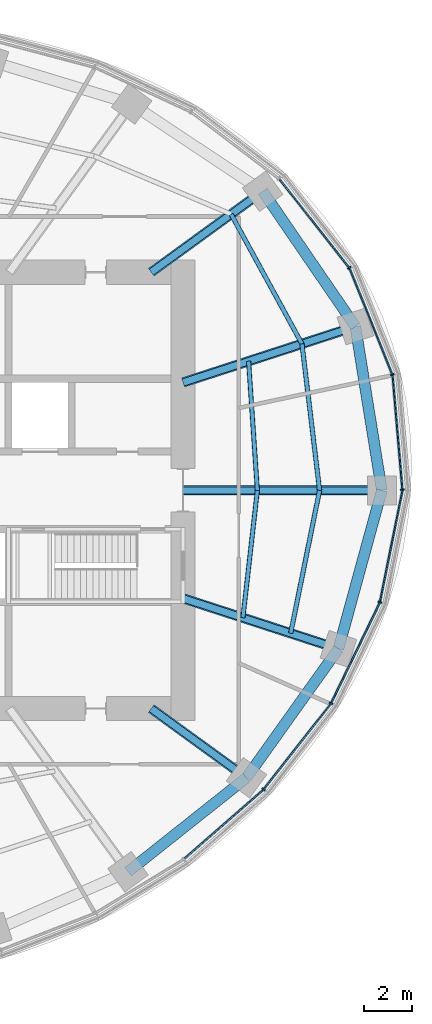
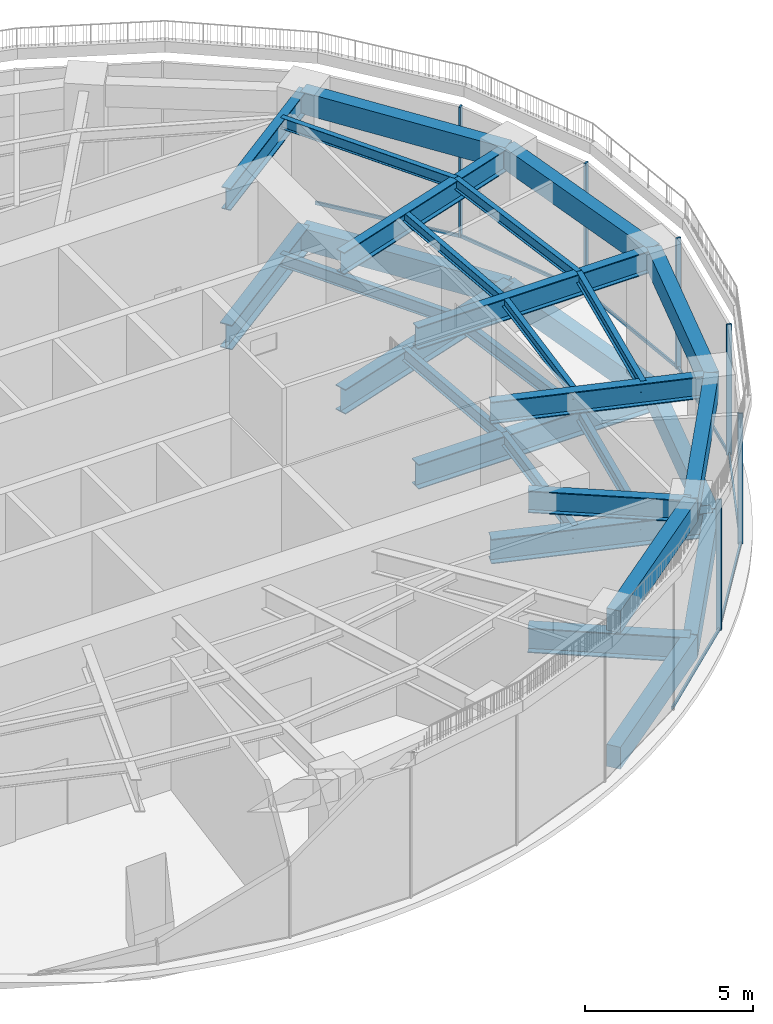
# One storey, part 6 of 19: 30 beams, 13 members, 2 elements without a shape of their own.
"""IFC4 building model written with IfcOpenShell, lengths in metres."""

from ifc_helpers import new_model, si_unit, direction, frame, origin, origin_2d, place, context, subcontext, project, spatial, rectangle, i_section, extrude, material, material_profile, profile_set, type_object, element, aggregate, save


model = new_model("IFC4")

# Units and contexts
model_context = context("Model", 3, precision=1e-05, world=origin(), true_north=direction((0.0, 1.0)))
body_context = subcontext(model_context, "Body", "Model", "MODEL_VIEW")
ifc_project = project(units=[si_unit("LENGTHUNIT", "METRE"), si_unit("AREAUNIT", "SQUARE_METRE"), si_unit("VOLUMEUNIT", "CUBIC_METRE"), si_unit("PLANEANGLEUNIT", "RADIAN"), si_unit("MASSUNIT", "GRAM", prefix="KILO")], contexts=[model_context])

# Site, building, storey
site_placement = place(None, origin())
site = spatial("IfcSite", under=ifc_project, at=site_placement, CompositionType="ELEMENT")
building_placement = place(site_placement, origin())
building = spatial("IfcBuilding", under=site, at=building_placement, Name="Marramba Exchange Tower", CompositionType="ELEMENT")
storey_placement = place(building_placement, frame((0.0, 0.0, 277.0)))
storey = spatial("IfcBuildingStorey", under=building, at=storey_placement, Name="L67", CompositionType="ELEMENT", Elevation=277.0)

# Beams
ifc_material_1 = material(Name="Steel AS/NZS 3679.1 grade 300", Category="steel")
ifc_material_profile_1 = material_profile(ifc_material_1, i_section(OverallWidth=0.1708984375, OverallDepth=0.35595703125, WebThickness=0.00732421875, FlangeThickness=0.011474609375, FilletRadius=0.011474609375, at=origin_2d()), Name="360UB50.7")
ifc_profile_set_1 = profile_set([ifc_material_profile_1], Name="Steel AS/NZS 3679.1 grade 300")
beam_type_1 = type_object("IfcBeamType", Name="Floor joist 360UB50.7", PredefinedType="JOIST", material=ifc_profile_set_1)
beam_1_placement = place(storey_placement, frame((16.7666015625, 0.0, 4.572021484375), z_axis=(-0.068096259546, 0.99767875563, 0.0), x_axis=(-0.99767875563, -0.068096259546, 0.0)))
element("IfcBeam", 1, at=beam_1_placement, inside=storey, type_object=beam_type_1, Name="Joist RF bay 01 row 1", PredefinedType="JOIST", context=body_context, shape_type="SweptSolid", body=[
    extrude(i_section(OverallWidth=0.1708984375, OverallDepth=0.35595703125, WebThickness=0.00732421875, FlangeThickness=0.011474609375, FilletRadius=0.011474609375, at=origin_2d()), origin(), (0.0, 0.0, 1.0), 5.342041015625),
])
beam_2_placement = place(storey_placement, frame((16.169677734375, -5.25390625, 4.572021484375), z_axis=(0.112888968594, 0.993607609054, 0.0), x_axis=(-0.993607609054, 0.112888968594, 0.0)))
element("IfcBeam", 2, at=beam_2_placement, inside=storey, type_object=beam_type_1, Name="Joist RF bay 20 row 1", PredefinedType="JOIST", context=body_context, shape_type="SweptSolid", body=[
    extrude(i_section(OverallWidth=0.1708984375, OverallDepth=0.35595703125, WebThickness=0.00732421875, FlangeThickness=0.011474609375, FilletRadius=0.011474609375, at=origin_2d()), origin(), (0.0, 0.0, 1.0), 5.28759765625),
])
ifc_material_profile_2 = material_profile(ifc_material_1, i_section(OverallWidth=0.177978515625, OverallDepth=0.403076171875, WebThickness=0.007568359375, FlangeThickness=0.010986328125, FilletRadius=0.011474609375, at=origin_2d()), Name="410UB53.7")
ifc_profile_set_2 = profile_set([ifc_material_profile_2], Name="Steel AS/NZS 3679.1 grade 300")
beam_type_2 = type_object("IfcBeamType", Name="Floor joist 410UB53.7", PredefinedType="JOIST", material=ifc_profile_set_2)
beam_3_placement = place(storey_placement, frame((19.333251953125, 0.0, 4.548583984375), z_axis=(-0.119523078538, 0.992831422597, 0.0), x_axis=(-0.992831422597, -0.119523078538, 0.0)))
element("IfcBeam", 3, at=beam_3_placement, inside=storey, type_object=beam_type_2, Name="Joist RF bay 01 row 2", PredefinedType="JOIST", context=body_context, shape_type="SweptSolid", body=[
    extrude(i_section(OverallWidth=0.177978515625, OverallDepth=0.403076171875, WebThickness=0.007568359375, FlangeThickness=0.010986328125, FilletRadius=0.011474609375, at=origin_2d()), origin(), (0.0, 0.0, 1.0), 6.089111328125),
])
beam_4_placement = place(storey_placement, frame((18.60546875, 6.04541015625, 4.548583984375), z_axis=(-0.479584443791, 0.877495732909, 0.0), x_axis=(-0.877495732909, -0.479584443791, 0.0)))
element("IfcBeam", 4, at=beam_4_placement, inside=storey, type_object=beam_type_2, Name="Joist RF bay 02 row 2", PredefinedType="JOIST", context=body_context, shape_type="SweptSolid", body=[
    extrude(i_section(OverallWidth=0.177978515625, OverallDepth=0.403076171875, WebThickness=0.007568359375, FlangeThickness=0.010986328125, FilletRadius=0.011474609375, at=origin_2d()), origin(), (0.0, 0.0, 1.0), 6.094970703125),
])
beam_5_placement = place(storey_placement, frame((18.1396484375, -5.893798828125, 4.548583984375), z_axis=(0.198489047047, 0.980103105904, 0.0), x_axis=(-0.980103105904, 0.198489047047, 0.0)))
element("IfcBeam", 5, at=beam_5_placement, inside=storey, type_object=beam_type_2, Name="Joist RF bay 20 row 2", PredefinedType="JOIST", context=body_context, shape_type="SweptSolid", body=[
    extrude(i_section(OverallWidth=0.177978515625, OverallDepth=0.403076171875, WebThickness=0.007568359375, FlangeThickness=0.010986328125, FilletRadius=0.011474609375, at=origin_2d()), origin(), (0.0, 0.0, 1.0), 6.013427734375),
])
ifc_material_profile_3 = material_profile(ifc_material_1, i_section(OverallWidth=0.18994140625, OverallDepth=0.4541015625, WebThickness=0.008544921875, FlangeThickness=0.0126953125, FilletRadius=0.011474609375, at=origin_2d()), Name="460UB67.1")
ifc_profile_set_3 = profile_set([ifc_material_profile_3], Name="Steel AS/NZS 3679.1 grade 300")
beam_type_3 = type_object("IfcBeamType", Name="Floor joist 460UB67.1", PredefinedType="JOIST", material=ifc_profile_set_3)
beam_6_placement = place(storey_placement, frame((16.7666015625, 0.0, -0.427001953125), z_axis=(-0.068096259546, 0.99767875563, 0.0), x_axis=(-0.99767875563, -0.068096259546, 0.0)))
element("IfcBeam", 6, at=beam_6_placement, inside=storey, type_object=beam_type_3, Name="Joist L67 bay 01 row 1", PredefinedType="JOIST", context=body_context, shape_type="SweptSolid", body=[
    extrude(i_section(OverallWidth=0.18994140625, OverallDepth=0.4541015625, WebThickness=0.008544921875, FlangeThickness=0.0126953125, FilletRadius=0.011474609375, at=origin_2d()), origin(), (0.0, 0.0, 1.0), 5.342041015625),
])
beam_7_placement = place(storey_placement, frame((19.333251953125, 0.0, -0.427001953125), z_axis=(-0.119523078538, 0.992831422597, 0.0), x_axis=(-0.992831422597, -0.119523078538, 0.0)))
element("IfcBeam", 7, at=beam_7_placement, inside=storey, type_object=beam_type_3, Name="Joist L67 bay 01 row 2", PredefinedType="JOIST", context=body_context, shape_type="SweptSolid", body=[
    extrude(i_section(OverallWidth=0.18994140625, OverallDepth=0.4541015625, WebThickness=0.008544921875, FlangeThickness=0.0126953125, FilletRadius=0.011474609375, at=origin_2d()), origin(), (0.0, 0.0, 1.0), 6.089111328125),
])
beam_8_placement = place(storey_placement, frame((18.60546875, 6.04541015625, -0.427001953125), z_axis=(-0.479584443791, 0.877495732909, 0.0), x_axis=(-0.877495732909, -0.479584443791, 0.0)))
element("IfcBeam", 8, at=beam_8_placement, inside=storey, type_object=beam_type_3, Name="Joist L67 bay 02 row 2", PredefinedType="JOIST", context=body_context, shape_type="SweptSolid", body=[
    extrude(i_section(OverallWidth=0.18994140625, OverallDepth=0.4541015625, WebThickness=0.008544921875, FlangeThickness=0.0126953125, FilletRadius=0.011474609375, at=origin_2d()), origin(), (0.0, 0.0, 1.0), 6.094970703125),
])
beam_9_placement = place(storey_placement, frame((16.169677734375, -5.25390625, -0.427001953125), z_axis=(0.112888968594, 0.993607609054, 0.0), x_axis=(-0.993607609054, 0.112888968594, 0.0)))
element("IfcBeam", 9, at=beam_9_placement, inside=storey, type_object=beam_type_3, Name="Joist L67 bay 20 row 1", PredefinedType="JOIST", context=body_context, shape_type="SweptSolid", body=[
    extrude(i_section(OverallWidth=0.18994140625, OverallDepth=0.4541015625, WebThickness=0.008544921875, FlangeThickness=0.0126953125, FilletRadius=0.011474609375, at=origin_2d()), origin(), (0.0, 0.0, 1.0), 5.28759765625),
])
beam_10_placement = place(storey_placement, frame((18.1396484375, -5.893798828125, -0.427001953125), z_axis=(0.198489047047, 0.980103105904, 0.0), x_axis=(-0.980103105904, 0.198489047047, 0.0)))
element("IfcBeam", 10, at=beam_10_placement, inside=storey, type_object=beam_type_3, Name="Joist L67 bay 20 row 2", PredefinedType="JOIST", context=body_context, shape_type="SweptSolid", body=[
    extrude(i_section(OverallWidth=0.18994140625, OverallDepth=0.4541015625, WebThickness=0.008544921875, FlangeThickness=0.0126953125, FilletRadius=0.011474609375, at=origin_2d()), origin(), (0.0, 0.0, 1.0), 6.013427734375),
])

# Curtain wall, members
ifc_material_2 = material(Name="Aluminium framing, bronze anodised", Category="aluminium")
curtain_wall_type = type_object("IfcCurtainWallType", Name="Plant floor louvred curtain wall", PredefinedType="USERDEFINED", material=ifc_material_2)
curtain_wall_1_placement = place(storey_placement, origin())
curtain_wall_1 = element("IfcCurtainWall", 11, at=curtain_wall_1_placement, inside=storey, type_object=curtain_wall_type, Name="Curtain wall CW6 L67 F01-F05", ObjectType="RIBBON CURTAIN WALL", PredefinedType="USERDEFINED")
ifc_material_3 = material(Name="Aluminium mullion, bronze anodised", Category="aluminium")
ifc_material_profile_4 = material_profile(ifc_material_3, rectangle(XDim=0.159912109375, YDim=0.06005859375, at=origin_2d()), Name="CW6 mullion 60x160")
ifc_profile_set_4 = profile_set([ifc_material_profile_4], Name="Aluminium mullion, bronze anodised")
member_type_1 = type_object("IfcMemberType", Name="Plant floor louvred curtain wall mullion", PredefinedType="MULLION", material=ifc_profile_set_4)
member_1_placement = place(storey_placement, frame((22.747314453125, 0.02978515625, 0.0), z_axis=(0.0, 0.0, 1.0), x_axis=(-0.996331816632, -0.085574009881, 0.0)))
member_1 = element("IfcMember", 12, at=member_1_placement, type_object=member_type_1, Name="CW6 mullion 1", PredefinedType="MULLION", context=body_context, shape_type="SweptSolid", body=[
    extrude(rectangle(XDim=0.159912109375, YDim=0.06005859375, at=origin_2d()), origin(), (0.0, 0.0, 1.0), 4.75),
])
member_2_placement = place(storey_placement, frame((22.330810546875, 4.77685546875, 0.0), z_axis=(0.0, 0.0, 1.0), x_axis=(-0.927838139977, -0.372983090774, 0.0)))
member_2 = element("IfcMember", 13, at=member_2_placement, type_object=member_type_1, Name="CW6 mullion 1", PredefinedType="MULLION", context=body_context, shape_type="SweptSolid", body=[
    extrude(rectangle(XDim=0.159912109375, YDim=0.06005859375, at=origin_2d()), origin(), (0.0, 0.0, 1.0), 4.75),
])
member_3_placement = place(storey_placement, frame((20.551025390625, 9.181884765625, 0.0), z_axis=(0.0, 0.0, 1.0), x_axis=(-0.786002861604, -0.618222857512, 0.0)))
member_3 = element("IfcMember", 14, at=member_3_placement, type_object=member_type_1, Name="CW6 mullion 1", PredefinedType="MULLION", context=body_context, shape_type="SweptSolid", body=[
    extrude(rectangle(XDim=0.159912109375, YDim=0.06005859375, at=origin_2d()), origin(), (0.0, 0.0, 1.0), 4.75),
])

curtain_wall_2_placement = place(storey_placement, origin())
curtain_wall_2 = element("IfcCurtainWall", 15, at=curtain_wall_2_placement, inside=storey, type_object=curtain_wall_type, Name="Curtain wall CW6 L67 F26-F30", ObjectType="RIBBON CURTAIN WALL", PredefinedType="USERDEFINED")
member_4_placement = place(storey_placement, frame((17.021484375, -12.329833984375, 0.0), z_axis=(0.0, 0.0, 1.0), x_axis=(-0.78594954734, 0.618290634763, 0.0)))
member_4 = element("IfcMember", 16, at=member_4_placement, type_object=member_type_1, Name="CW6 mullion 1", PredefinedType="MULLION", context=body_context, shape_type="SweptSolid", body=[
    extrude(rectangle(XDim=0.159912109375, YDim=0.06005859375, at=origin_2d()), origin(), (0.0, 0.0, 1.0), 4.75),
])
member_5_placement = place(storey_placement, frame((19.802978515625, -8.783935546875, 0.0), z_axis=(0.0, 0.0, 1.0), x_axis=(-0.89969718031, 0.436514585945, 0.0)))
member_5 = element("IfcMember", 17, at=member_5_placement, type_object=member_type_1, Name="CW6 mullion 1", PredefinedType="MULLION", context=body_context, shape_type="SweptSolid", body=[
    extrude(rectangle(XDim=0.159912109375, YDim=0.06005859375, at=origin_2d()), origin(), (0.0, 0.0, 1.0), 4.75),
])
member_6_placement = place(storey_placement, frame((21.82080078125, -4.607421875, 0.0), z_axis=(0.0, 0.0, 1.0), x_axis=(-0.980268514856, 0.19767053089, 0.0)))
member_6 = element("IfcMember", 18, at=member_6_placement, type_object=member_type_1, Name="CW6 mullion 1", PredefinedType="MULLION", context=body_context, shape_type="SweptSolid", body=[
    extrude(rectangle(XDim=0.159912109375, YDim=0.06005859375, at=origin_2d()), origin(), (0.0, 0.0, 1.0), 4.75),
])

# Member
ifc_material_4 = material(Name="Aluminium transom, bronze anodised", Category="aluminium")
ifc_material_profile_5 = material_profile(ifc_material_4, rectangle(XDim=0.06005859375, YDim=0.1201171875, at=origin_2d()), Name="CW6 transom 60x120")
ifc_profile_set_5 = profile_set([ifc_material_profile_5], Name="Aluminium transom, bronze anodised")
member_type_2 = type_object("IfcMemberType", Name="Plant floor louvred curtain wall transom", PredefinedType="USERDEFINED", material=ifc_profile_set_5)
member_7_placement = place(storey_placement, frame((22.744873046875, 0.059814453125, 0.030029296875), z_axis=(-0.085590935521, 0.99633036276, 0.0), x_axis=(-0.99633036276, -0.085590935521, 0.0)))
member_7 = element("IfcMember", 19, at=member_7_placement, type_object=member_type_2, Name="CW6 sill transom", ObjectType="TRANSOM", PredefinedType="USERDEFINED", context=body_context, shape_type="SweptSolid", body=[
    extrude(rectangle(XDim=0.06005859375, YDim=0.1201171875, at=origin_2d()), origin(), (0.0, 0.0, 1.0), 4.70654296875),
])

member_8_placement = place(storey_placement, frame((22.31982421875, 4.8046875, 0.030029296875), z_axis=(-0.37301385018, 0.927825774364, 0.0), x_axis=(-0.927825774364, -0.37301385018, 0.0)))
member_8 = element("IfcMember", 20, at=member_8_placement, type_object=member_type_2, Name="CW6 sill transom", ObjectType="TRANSOM", PredefinedType="USERDEFINED", context=body_context, shape_type="SweptSolid", body=[
    extrude(rectangle(XDim=0.06005859375, YDim=0.1201171875, at=origin_2d()), origin(), (0.0, 0.0, 1.0), 4.692138671875),
])

member_9_placement = place(storey_placement, frame((20.532470703125, 9.205322265625, 0.030029296875), z_axis=(-0.618203819414, 0.78601783546, 0.0), x_axis=(-0.78601783546, -0.618203819414, 0.0)))
member_9 = element("IfcMember", 21, at=member_9_placement, type_object=member_type_2, Name="CW6 sill transom", ObjectType="TRANSOM", PredefinedType="USERDEFINED", context=body_context, shape_type="SweptSolid", body=[
    extrude(rectangle(XDim=0.06005859375, YDim=0.1201171875, at=origin_2d()), origin(), (0.0, 0.0, 1.0), 4.625),
])

aggregate(curtain_wall_1, [member_1, member_7, member_2, member_8, member_3, member_9])

member_10_placement = place(storey_placement, frame((13.758544921875, -15.19091796875, 0.030029296875), z_axis=(0.752741590247, 0.658316108198, 0.0), x_axis=(-0.658316108198, 0.752741590247, 0.0)))
member_10 = element("IfcMember", 22, at=member_10_placement, type_object=member_type_2, Name="CW6 sill transom", ObjectType="TRANSOM", PredefinedType="USERDEFINED", context=body_context, shape_type="SweptSolid", body=[
    extrude(rectangle(XDim=0.06005859375, YDim=0.1201171875, at=origin_2d()), origin(), (0.0, 0.0, 1.0), 4.31005859375),
])

member_11_placement = place(storey_placement, frame((17.0400390625, -12.30615234375, 0.030029296875), z_axis=(0.618320881677, 0.785925751762, 0.0), x_axis=(-0.785925751762, 0.618320881677, 0.0)))
member_11 = element("IfcMember", 23, at=member_11_placement, type_object=member_type_2, Name="CW6 sill transom", ObjectType="TRANSOM", PredefinedType="USERDEFINED", context=body_context, shape_type="SweptSolid", body=[
    extrude(rectangle(XDim=0.06005859375, YDim=0.1201171875, at=origin_2d()), origin(), (0.0, 0.0, 1.0), 4.447021484375),
])

member_12_placement = place(storey_placement, frame((19.81591796875, -8.757080078125, 0.030029296875), z_axis=(0.436519399678, 0.899694844769, 0.0), x_axis=(-0.899694844769, 0.436519399678, 0.0)))
member_12 = element("IfcMember", 24, at=member_12_placement, type_object=member_type_2, Name="CW6 sill transom", ObjectType="TRANSOM", PredefinedType="USERDEFINED", context=body_context, shape_type="SweptSolid", body=[
    extrude(rectangle(XDim=0.06005859375, YDim=0.1201171875, at=origin_2d()), origin(), (0.0, 0.0, 1.0), 4.579345703125),
])

member_13_placement = place(storey_placement, frame((21.826904296875, -4.578125, 0.030029296875), z_axis=(0.197654002556, 0.980271847639, 0.0), x_axis=(-0.980271847639, 0.197654002556, 0.0)))
member_13 = element("IfcMember", 25, at=member_13_placement, type_object=member_type_2, Name="CW6 sill transom", ObjectType="TRANSOM", PredefinedType="USERDEFINED", context=body_context, shape_type="SweptSolid", body=[
    extrude(rectangle(XDim=0.06005859375, YDim=0.1201171875, at=origin_2d()), origin(), (0.0, 0.0, 1.0), 4.670166015625),
])

aggregate(curtain_wall_2, [member_10, member_4, member_11, member_5, member_12, member_6, member_13])

# Beams
ifc_material_5 = material(Name="Steel AS/NZS 3679.2 grade 300", Category="steel")
ifc_material_profile_6 = material_profile(ifc_material_5, i_section(OverallWidth=0.300048828125, OverallDepth=0.800048828125, WebThickness=0.013916015625, FlangeThickness=0.031982421875, at=origin_2d()), Name="800WB192")
ifc_profile_set_6 = profile_set([ifc_material_profile_6], Name="Steel AS/NZS 3679.2 grade 300")
beam_type_4 = type_object("IfcBeamType", Name="Radial girder 800WB192", PredefinedType="BEAM", material=ifc_profile_set_6)
beam_11_placement = place(storey_placement, frame((13.699951171875, 0.0, 4.35009765625), z_axis=(1.0, 0.0, 0.0), x_axis=(0.0, 1.0, 0.0)))
element("IfcBeam", 26, at=beam_11_placement, inside=storey, type_object=beam_type_4, Name="Radial girder RF TC01", PredefinedType="BEAM", context=body_context, shape_type="SweptSolid", body=[
    extrude(i_section(OverallWidth=0.300048828125, OverallDepth=0.800048828125, WebThickness=0.013916015625, FlangeThickness=0.031982421875, at=origin_2d()), origin(), (0.0, 0.0, 1.0), 8.199951171875),
])
beam_12_placement = place(storey_placement, frame((13.699951171875, 4.451416015625, 4.35009765625), z_axis=(0.951059990189, 0.309006302624, 0.0), x_axis=(-0.309006302624, 0.951059990189, 0.0)))
element("IfcBeam", 27, at=beam_12_placement, inside=storey, type_object=beam_type_4, Name="Radial girder RF TC02", PredefinedType="BEAM", context=body_context, shape_type="SweptSolid", body=[
    extrude(i_section(OverallWidth=0.300048828125, OverallDepth=0.800048828125, WebThickness=0.013916015625, FlangeThickness=0.031982421875, at=origin_2d()), origin(), (0.0, 0.0, 1.0), 7.47412109375),
])
beam_13_placement = place(storey_placement, frame((12.387451171875, 9.0, 4.35009765625), z_axis=(0.809025746925, 0.587773205252, 0.0), x_axis=(-0.587773205252, 0.809025746925, 0.0)))
element("IfcBeam", 28, at=beam_13_placement, inside=storey, type_object=beam_type_4, Name="Radial girder RF TC03", PredefinedType="BEAM", context=body_context, shape_type="SweptSolid", body=[
    extrude(i_section(OverallWidth=0.300048828125, OverallDepth=0.800048828125, WebThickness=0.013916015625, FlangeThickness=0.031982421875, at=origin_2d()), origin(), (0.0, 0.0, 1.0), 5.683837890625),
])
beam_14_placement = place(storey_placement, frame((12.387451171875, -9.0, 4.35009765625), z_axis=(0.809025189606, -0.58777397236, 0.0), x_axis=(0.58777397236, 0.809025189606, 0.0)))
element("IfcBeam", 29, at=beam_14_placement, inside=storey, type_object=beam_type_4, Name="Radial girder RF TC19", PredefinedType="BEAM", context=body_context, shape_type="SweptSolid", body=[
    extrude(i_section(OverallWidth=0.300048828125, OverallDepth=0.800048828125, WebThickness=0.013916015625, FlangeThickness=0.031982421875, at=origin_2d()), origin(), (0.0, 0.0, 1.0), 4.855224609375),
])
beam_15_placement = place(storey_placement, frame((13.699951171875, -4.451416015625, 4.35009765625), z_axis=(0.951057759669, -0.309013167637, 0.0), x_axis=(0.309013167637, 0.951057759669, 0.0)))
element("IfcBeam", 30, at=beam_15_placement, inside=storey, type_object=beam_type_4, Name="Radial girder RF TC20", PredefinedType="BEAM", context=body_context, shape_type="SweptSolid", body=[
    extrude(i_section(OverallWidth=0.300048828125, OverallDepth=0.800048828125, WebThickness=0.013916015625, FlangeThickness=0.031982421875, at=origin_2d()), origin(), (0.0, 0.0, 1.0), 6.7392578125),
])
ifc_material_profile_7 = material_profile(ifc_material_5, i_section(OverallWidth=0.39990234375, OverallDepth=0.89990234375, WebThickness=0.01611328125, FlangeThickness=0.031982421875, at=origin_2d()), Name="900WB282")
ifc_profile_set_7 = profile_set([ifc_material_profile_7], Name="Steel AS/NZS 3679.2 grade 300")
beam_type_5 = type_object("IfcBeamType", Name="Radial girder 900WB282", PredefinedType="BEAM", material=ifc_profile_set_7)
beam_16_placement = place(storey_placement, frame((13.699951171875, 0.0, -0.64990234375), z_axis=(1.0, 0.0, 0.0), x_axis=(0.0, 1.0, 0.0)))
element("IfcBeam", 31, at=beam_16_placement, inside=storey, type_object=beam_type_5, Name="Radial girder L67 TC01", PredefinedType="BEAM", context=body_context, shape_type="SweptSolid", body=[
    extrude(i_section(OverallWidth=0.39990234375, OverallDepth=0.89990234375, WebThickness=0.01611328125, FlangeThickness=0.031982421875, at=origin_2d()), origin(), (0.0, 0.0, 1.0), 8.199951171875),
])
beam_17_placement = place(storey_placement, frame((13.699951171875, 4.451416015625, -0.64990234375), z_axis=(0.951059990189, 0.309006302624, 0.0), x_axis=(-0.309006302624, 0.951059990189, 0.0)))
element("IfcBeam", 32, at=beam_17_placement, inside=storey, type_object=beam_type_5, Name="Radial girder L67 TC02", PredefinedType="BEAM", context=body_context, shape_type="SweptSolid", body=[
    extrude(i_section(OverallWidth=0.39990234375, OverallDepth=0.89990234375, WebThickness=0.01611328125, FlangeThickness=0.031982421875, at=origin_2d()), origin(), (0.0, 0.0, 1.0), 7.47412109375),
])
beam_18_placement = place(storey_placement, frame((12.387451171875, 9.0, -0.64990234375), z_axis=(0.809025746925, 0.587773205252, 0.0), x_axis=(-0.587773205252, 0.809025746925, 0.0)))
element("IfcBeam", 33, at=beam_18_placement, inside=storey, type_object=beam_type_5, Name="Radial girder L67 TC03", PredefinedType="BEAM", context=body_context, shape_type="SweptSolid", body=[
    extrude(i_section(OverallWidth=0.39990234375, OverallDepth=0.89990234375, WebThickness=0.01611328125, FlangeThickness=0.031982421875, at=origin_2d()), origin(), (0.0, 0.0, 1.0), 5.683837890625),
])
beam_19_placement = place(storey_placement, frame((12.387451171875, -9.0, -0.64990234375), z_axis=(0.809025189606, -0.58777397236, 0.0), x_axis=(0.58777397236, 0.809025189606, 0.0)))
element("IfcBeam", 34, at=beam_19_placement, inside=storey, type_object=beam_type_5, Name="Radial girder L67 TC19", PredefinedType="BEAM", context=body_context, shape_type="SweptSolid", body=[
    extrude(i_section(OverallWidth=0.39990234375, OverallDepth=0.89990234375, WebThickness=0.01611328125, FlangeThickness=0.031982421875, at=origin_2d()), origin(), (0.0, 0.0, 1.0), 4.855224609375),
])
beam_20_placement = place(storey_placement, frame((13.699951171875, -4.451416015625, -0.64990234375), z_axis=(0.951057759669, -0.309013167637, 0.0), x_axis=(0.309013167637, 0.951057759669, 0.0)))
element("IfcBeam", 35, at=beam_20_placement, inside=storey, type_object=beam_type_5, Name="Radial girder L67 TC20", PredefinedType="BEAM", context=body_context, shape_type="SweptSolid", body=[
    extrude(i_section(OverallWidth=0.39990234375, OverallDepth=0.89990234375, WebThickness=0.01611328125, FlangeThickness=0.031982421875, at=origin_2d()), origin(), (0.0, 0.0, 1.0), 6.7392578125),
])
ifc_material_6 = material(Name="Concrete N50", Category="concrete")
ifc_material_profile_8 = material_profile(ifc_material_6, rectangle(XDim=0.449951171875, YDim=0.800048828125, at=origin_2d()), Name="RC 450x800")
ifc_profile_set_8 = profile_set([ifc_material_profile_8], Name="Concrete N50")
beam_type_6 = type_object("IfcBeamType", Name="Ring beam RC 450x800 N50", PredefinedType="SPANDREL", material=ifc_profile_set_8)
beam_21_placement = place(storey_placement, frame((21.89990234375, 0.0, -0.60009765625), z_axis=(-0.159384865399, 0.987216523708, 0.0), x_axis=(-0.987216523708, -0.159384865399, 0.0)))
element("IfcBeam", 36, at=beam_21_placement, inside=storey, type_object=beam_type_6, Name="Ring beam L67 TC01-TC02", PredefinedType="SPANDREL", context=body_context, shape_type="SweptSolid", body=[
    extrude(rectangle(XDim=0.449951171875, YDim=0.800048828125, at=origin_2d()), origin(), (0.0, 0.0, 1.0), 6.8486328125),
])
beam_22_placement = place(storey_placement, frame((20.808349609375, 6.760986328125, -0.60009765625), z_axis=(-0.56516002054, 0.824981303535, 0.0), x_axis=(-0.824981303535, -0.56516002054, 0.0)))
element("IfcBeam", 37, at=beam_22_placement, inside=storey, type_object=beam_type_6, Name="Ring beam L67 TC02-TC03", PredefinedType="SPANDREL", context=body_context, shape_type="SweptSolid", body=[
    extrude(rectangle(XDim=0.449951171875, YDim=0.800048828125, at=origin_2d()), origin(), (0.0, 0.0, 1.0), 6.763671875),
])
beam_23_placement = place(storey_placement, frame((11.430419921875, -15.732666015625, -0.60009765625), z_axis=(0.783139438128, 0.621846138887, 0.0), x_axis=(-0.621846138887, 0.783139438128, 0.0)))
element("IfcBeam", 38, at=beam_23_placement, inside=storey, type_object=beam_type_6, Name="Ring beam L67 TC18-TC19", PredefinedType="SPANDREL", context=body_context, shape_type="SweptSolid", body=[
    extrude(rectangle(XDim=0.449951171875, YDim=0.800048828125, at=origin_2d()), origin(), (0.0, 0.0, 1.0), 6.23779296875),
])
beam_24_placement = place(storey_placement, frame((16.3154296875, -11.853759765625, -0.60009765625), z_axis=(0.580637181111, 0.814162430914, 0.0), x_axis=(-0.814162430914, 0.580637181111, 0.0)))
element("IfcBeam", 39, at=beam_24_placement, inside=storey, type_object=beam_type_6, Name="Ring beam L67 TC19-TC20", PredefinedType="SPANDREL", context=body_context, shape_type="SweptSolid", body=[
    extrude(rectangle(XDim=0.449951171875, YDim=0.800048828125, at=origin_2d()), origin(), (0.0, 0.0, 1.0), 6.5341796875),
])
beam_25_placement = place(storey_placement, frame((20.109375, -6.533935546875, -0.60009765625), z_axis=(0.264291166956, 0.964442937176, 0.0), x_axis=(-0.964442937176, 0.264291166956, 0.0)))
element("IfcBeam", 40, at=beam_25_placement, inside=storey, type_object=beam_type_6, Name="Ring beam L67 TC20-TC01", PredefinedType="SPANDREL", context=body_context, shape_type="SweptSolid", body=[
    extrude(rectangle(XDim=0.449951171875, YDim=0.800048828125, at=origin_2d()), origin(), (0.0, 0.0, 1.0), 6.77490234375),
])
beam_26_placement = place(storey_placement, frame((21.89990234375, 0.0, 4.35009765625), z_axis=(-0.159384865399, 0.987216523708, 0.0), x_axis=(-0.987216523708, -0.159384865399, 0.0)))
element("IfcBeam", 41, at=beam_26_placement, inside=storey, type_object=beam_type_6, Name="Ring beam RF TC01-TC02", PredefinedType="SPANDREL", context=body_context, shape_type="SweptSolid", body=[
    extrude(rectangle(XDim=0.449951171875, YDim=0.800048828125, at=origin_2d()), origin(), (0.0, 0.0, 1.0), 6.8486328125),
])
beam_27_placement = place(storey_placement, frame((20.808349609375, 6.760986328125, 4.35009765625), z_axis=(-0.56516002054, 0.824981303535, 0.0), x_axis=(-0.824981303535, -0.56516002054, 0.0)))
element("IfcBeam", 42, at=beam_27_placement, inside=storey, type_object=beam_type_6, Name="Ring beam RF TC02-TC03", PredefinedType="SPANDREL", context=body_context, shape_type="SweptSolid", body=[
    extrude(rectangle(XDim=0.449951171875, YDim=0.800048828125, at=origin_2d()), origin(), (0.0, 0.0, 1.0), 6.763671875),
])
beam_28_placement = place(storey_placement, frame((11.430419921875, -15.732666015625, 4.35009765625), z_axis=(0.783139438128, 0.621846138887, 0.0), x_axis=(-0.621846138887, 0.783139438128, 0.0)))
element("IfcBeam", 43, at=beam_28_placement, inside=storey, type_object=beam_type_6, Name="Ring beam RF TC18-TC19", PredefinedType="SPANDREL", context=body_context, shape_type="SweptSolid", body=[
    extrude(rectangle(XDim=0.449951171875, YDim=0.800048828125, at=origin_2d()), origin(), (0.0, 0.0, 1.0), 6.23779296875),
])
beam_29_placement = place(storey_placement, frame((16.3154296875, -11.853759765625, 4.35009765625), z_axis=(0.580637181111, 0.814162430914, 0.0), x_axis=(-0.814162430914, 0.580637181111, 0.0)))
element("IfcBeam", 44, at=beam_29_placement, inside=storey, type_object=beam_type_6, Name="Ring beam RF TC19-TC20", PredefinedType="SPANDREL", context=body_context, shape_type="SweptSolid", body=[
    extrude(rectangle(XDim=0.449951171875, YDim=0.800048828125, at=origin_2d()), origin(), (0.0, 0.0, 1.0), 6.5341796875),
])
beam_30_placement = place(storey_placement, frame((20.109375, -6.533935546875, 4.35009765625), z_axis=(0.264291166956, 0.964442937176, 0.0), x_axis=(-0.964442937176, 0.264291166956, 0.0)))
element("IfcBeam", 45, at=beam_30_placement, inside=storey, type_object=beam_type_6, Name="Ring beam RF TC20-TC01", PredefinedType="SPANDREL", context=body_context, shape_type="SweptSolid", body=[
    extrude(rectangle(XDim=0.449951171875, YDim=0.800048828125, at=origin_2d()), origin(), (0.0, 0.0, 1.0), 6.77490234375),
])

save(model, "model.ifc")
